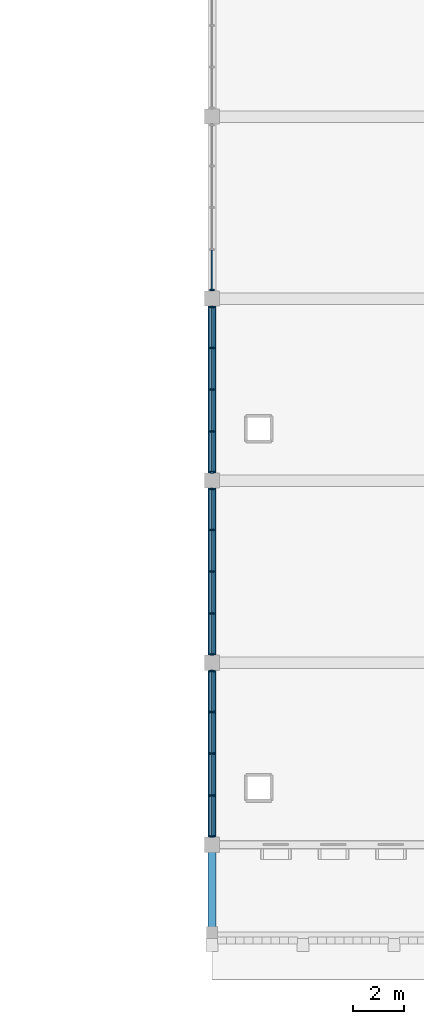
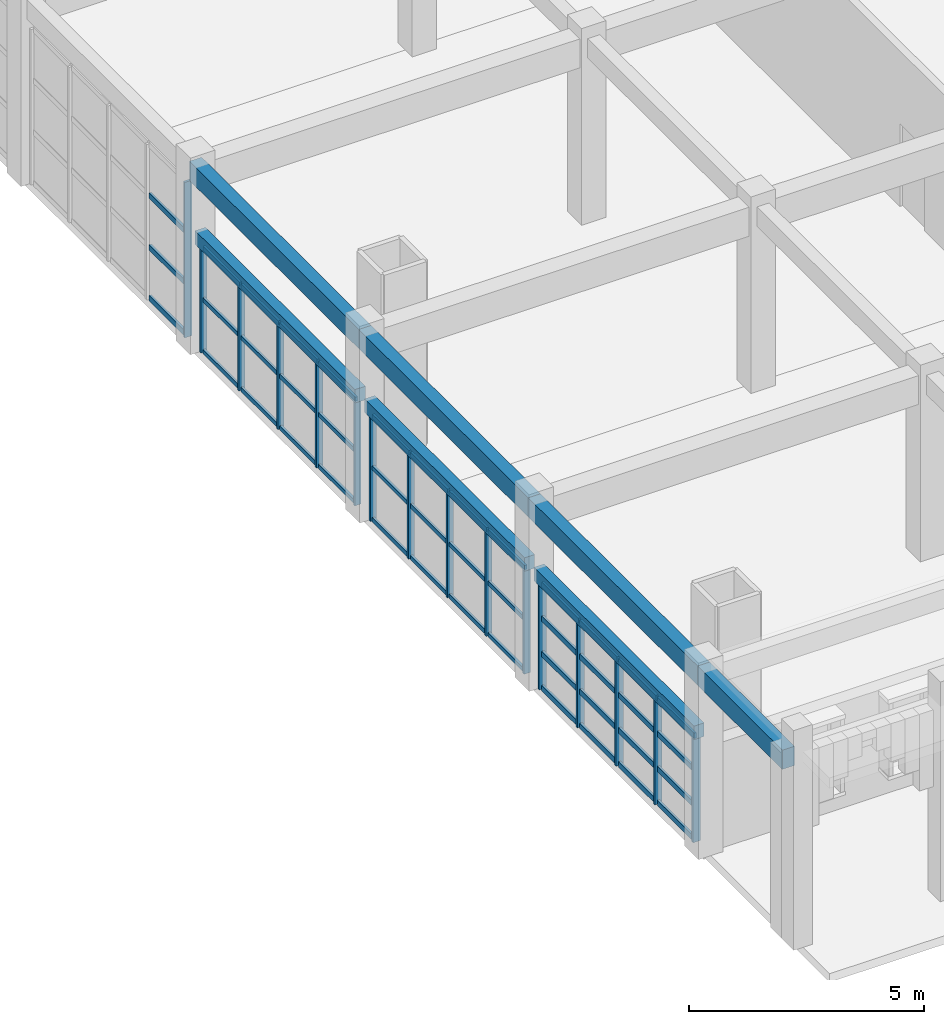
# One storey, part 7 of 72: 59 members, 7 beams, 4 elements without a shape of their own.
"""IFC4 building model written with IfcOpenShell, lengths in metres."""

from ifc_helpers import new_model, si_unit, direction, frame, origin, origin_2d, place, context, subcontext, project, spatial, rectangle, extrude, material, material_profile, profile_set, type_object, element, aggregate, save


model = new_model("IFC4")

# Units and contexts
model_context = context("Model", 3, precision=1e-05, world=origin(), true_north=direction((0.0, 1.0)))
body_context = subcontext(model_context, "Body", "Model", "MODEL_VIEW")
ifc_project = project(units=[si_unit("LENGTHUNIT", "METRE"), si_unit("AREAUNIT", "SQUARE_METRE"), si_unit("VOLUMEUNIT", "CUBIC_METRE"), si_unit("PLANEANGLEUNIT", "RADIAN"), si_unit("MASSUNIT", "GRAM", prefix="KILO")], contexts=[model_context])

# Site, building, storey
site_placement = place(None, origin())
site = spatial("IfcSite", under=ifc_project, at=site_placement, CompositionType="ELEMENT")
building_placement = place(site_placement, origin())
building = spatial("IfcBuilding", under=site, at=building_placement, Name="Nzembalo Square Collegiate School", CompositionType="ELEMENT")
storey_placement = place(building_placement, origin())
storey = spatial("IfcBuildingStorey", under=building, at=storey_placement, Name="L00", CompositionType="ELEMENT", Elevation=0.0)

# Beams
ifc_material_1 = material(Name="Concrete C35/45", Category="concrete")
ifc_material_profile_1 = material_profile(ifc_material_1, rectangle(XDim=0.25, YDim=0.35009765625, at=origin_2d()), Name="RC 250x350")
ifc_profile_set_1 = profile_set([ifc_material_profile_1], Name="Concrete C35/45")
beam_type_1 = type_object("IfcBeamType", Name="LN01", PredefinedType="LINTEL", material=ifc_profile_set_1)
beam_1_placement = place(storey_placement, frame((130.800048828125, 8.60009765625, 2.925048828125), z_axis=(0.0, 1.0, 0.0), x_axis=(-1.0, 0.0, 0.0)))
element("IfcBeam", 1, at=beam_1_placement, inside=storey, type_object=beam_type_1, Name="Opening lintel LN01-04", PredefinedType="LINTEL", context=body_context, shape_type="SweptSolid", body=[
    extrude(rectangle(XDim=0.25, YDim=0.35009765625, at=origin_2d()), origin(), (0.0, 0.0, 1.0), 6.7998046875),
])
for number, where, z_axis, x_axis, name in (
    (2, (130.800048828125, 15.800048828125, 2.925048828125), (0.0, 1.0, 0.0), (-1.0, 0.0, 0.0), "Opening lintel LN01-05"),
    (3, (130.800048828125, 23.0, 2.925048828125), (0.0, 1.0, 0.0), (-1.0, 0.0, 0.0), "Opening lintel LN01-06"),
):
    element("IfcBeam", number, at=place(storey_placement, frame(where, z_axis=z_axis, x_axis=x_axis)), inside=storey, type_object=beam_type_1, Name=name, PredefinedType="LINTEL", context=body_context, shape_type="SweptSolid", body=[
        extrude(rectangle(XDim=0.25, YDim=0.35009765625, at=origin_2d()), origin(), (0.0, 0.0, 1.0), 6.800048828125),
    ])
ifc_material_2 = material(Name="Concrete C35/45", Category="concrete")
ifc_material_profile_2 = material_profile(ifc_material_2, rectangle(XDim=0.300048828125, YDim=0.5, at=origin_2d()), Name="RC 300x500")
ifc_profile_set_2 = profile_set([ifc_material_profile_2], Name="Concrete C35/45")
beam_type_2 = type_object("IfcBeamType", Name="SP01", PredefinedType="SPANDREL", material=ifc_profile_set_2)
beam_2_placement = place(storey_placement, frame((130.800048828125, 4.800048828125, 4.5400390625), z_axis=(0.0, 1.0, 0.0), x_axis=(-1.0, 0.0, 0.0)))
element("IfcBeam", 4, at=beam_2_placement, inside=storey, type_object=beam_type_2, Name="Beam SP01 L00", PredefinedType="SPANDREL", context=body_context, shape_type="SweptSolid", body=[
    extrude(rectangle(XDim=0.300048828125, YDim=0.5, at=origin_2d()), origin(), (0.0, 0.0, 1.0), 3.599853515625),
])
beam_3_placement = place(storey_placement, frame((130.800048828125, 8.39990234375, 4.5400390625), z_axis=(0.0, 1.0, 0.0), x_axis=(-1.0, 0.0, 0.0)))
element("IfcBeam", 5, at=beam_3_placement, inside=storey, type_object=beam_type_2, Name="Beam SP01 L00", PredefinedType="SPANDREL", context=body_context, shape_type="SweptSolid", body=[
    extrude(rectangle(XDim=0.300048828125, YDim=0.5, at=origin_2d()), origin(), (0.0, 0.0, 1.0), 7.2001953125),
])
for number, where, z_axis, x_axis, name in (
    (6, (130.800048828125, 15.60009765625, 4.5400390625), (0.0, 1.0, 0.0), (-1.0, 0.0, 0.0), "Beam SP01 L00"),
    (7, (130.800048828125, 22.800048828125, 4.5400390625), (0.0, 1.0, 0.0), (-1.0, 0.0, 0.0), "Beam SP01 L00"),
):
    element("IfcBeam", number, at=place(storey_placement, frame(where, z_axis=z_axis, x_axis=x_axis)), inside=storey, type_object=beam_type_2, Name=name, PredefinedType="SPANDREL", context=body_context, shape_type="SweptSolid", body=[
        extrude(rectangle(XDim=0.300048828125, YDim=0.5, at=origin_2d()), origin(), (0.0, 0.0, 1.0), 7.199951171875),
    ])

# Curtain wall, members
ifc_material_3 = material(Name="Aluminium 6060-T66", Category="aluminium")
curtain_wall_type_1 = type_object("IfcCurtainWallType", Name="CW-02", PredefinedType="USERDEFINED", material=ifc_material_3)
curtain_wall_1_placement = place(storey_placement, origin())
curtain_wall_1 = element("IfcCurtainWall", 8, at=curtain_wall_1_placement, inside=storey, type_object=curtain_wall_type_1, Name="Curtain wall CW-02 cw:L00:009", ObjectType="UNITISED", PredefinedType="USERDEFINED")
ifc_material_4 = material(Name="Aluminium 6060-T66", Category="aluminium")
ifc_material_profile_3 = material_profile(ifc_material_4, rectangle(XDim=0.06005859375, YDim=0.179931640625, at=origin_2d()), Name="ALU M60x180")
ifc_profile_set_3 = profile_set([ifc_material_profile_3], Name="Aluminium 6060-T66")
member_type_1 = type_object("IfcMemberType", Name="ML01", PredefinedType="MULLION", material=ifc_profile_set_3)
member_1_placement = place(storey_placement, frame((130.800048828125, 8.73193359375, 0.0), z_axis=(0.0, 0.0, 1.0), x_axis=(0.0, 1.0, 0.0)))
member_1 = element("IfcMember", 9, at=member_1_placement, type_object=member_type_1, Name="ML01 mullion 1", PredefinedType="MULLION", context=body_context, shape_type="SweptSolid", body=[
    extrude(rectangle(XDim=0.06005859375, YDim=0.179931640625, at=origin_2d()), origin(), (0.0, 0.0, 1.0), 2.743896484375),
])
member_2_placement = place(storey_placement, frame((130.800048828125, 10.35107421875, 0.0), z_axis=(0.0, 0.0, 1.0), x_axis=(0.0, 1.0, 0.0)))
member_2 = element("IfcMember", 10, at=member_2_placement, type_object=member_type_1, Name="ML01 mullion 2", PredefinedType="MULLION", context=body_context, shape_type="SweptSolid", body=[
    extrude(rectangle(XDim=0.06005859375, YDim=0.179931640625, at=origin_2d()), origin(), (0.0, 0.0, 1.0), 2.743896484375),
])
member_3_placement = place(storey_placement, frame((130.800048828125, 12.0, 0.0), z_axis=(0.0, 0.0, 1.0), x_axis=(0.0, 1.0, 0.0)))
member_3 = element("IfcMember", 11, at=member_3_placement, type_object=member_type_1, Name="ML01 mullion 3", PredefinedType="MULLION", context=body_context, shape_type="SweptSolid", body=[
    extrude(rectangle(XDim=0.06005859375, YDim=0.179931640625, at=origin_2d()), origin(), (0.0, 0.0, 1.0), 2.743896484375),
])
member_4_placement = place(storey_placement, frame((130.800048828125, 13.64892578125, 0.0), z_axis=(0.0, 0.0, 1.0), x_axis=(0.0, 1.0, 0.0)))
member_4 = element("IfcMember", 12, at=member_4_placement, type_object=member_type_1, Name="ML01 mullion 4", PredefinedType="MULLION", context=body_context, shape_type="SweptSolid", body=[
    extrude(rectangle(XDim=0.06005859375, YDim=0.179931640625, at=origin_2d()), origin(), (0.0, 0.0, 1.0), 2.743896484375),
])
member_5_placement = place(storey_placement, frame((130.800048828125, 15.26806640625, 0.0), z_axis=(0.0, 0.0, 1.0), x_axis=(0.0, 1.0, 0.0)))
member_5 = element("IfcMember", 13, at=member_5_placement, type_object=member_type_1, Name="ML01 mullion 5", PredefinedType="MULLION", context=body_context, shape_type="SweptSolid", body=[
    extrude(rectangle(XDim=0.06005859375, YDim=0.179931640625, at=origin_2d()), origin(), (0.0, 0.0, 1.0), 2.743896484375),
])

# Curtain wall, member
ifc_material_5 = material(Name="Aluminium 6060-T66", Category="aluminium")
curtain_wall_type_2 = type_object("IfcCurtainWallType", Name="CW-05", PredefinedType="USERDEFINED", material=ifc_material_5)
curtain_wall_2_placement = place(storey_placement, origin())
curtain_wall_2 = element("IfcCurtainWall", 14, at=curtain_wall_2_placement, inside=storey, type_object=curtain_wall_type_2, Name="Curtain wall CW-05 cw:L00:012", ObjectType="LANCET", PredefinedType="USERDEFINED")
member_6_placement = place(storey_placement, frame((130.800048828125, 30.33203125, 0.0), z_axis=(0.0, 0.0, 1.0), x_axis=(0.0, 1.0, 0.0)))
member_6 = element("IfcMember", 15, at=member_6_placement, type_object=member_type_1, Name="ML01 mullion 1", PredefinedType="MULLION", context=body_context, shape_type="SweptSolid", body=[
    extrude(rectangle(XDim=0.06005859375, YDim=0.179931640625, at=origin_2d()), origin(), (0.0, 0.0, 1.0), 4.033935546875),
])

# Curtain wall, members
ifc_material_6 = material(Name="Aluminium 6060-T66", Category="aluminium")
curtain_wall_type_3 = type_object("IfcCurtainWallType", Name="CW-03", PredefinedType="USERDEFINED", material=ifc_material_6)
curtain_wall_3_placement = place(storey_placement, origin())
curtain_wall_3 = element("IfcCurtainWall", 16, at=curtain_wall_3_placement, inside=storey, type_object=curtain_wall_type_3, Name="Curtain wall CW-03 cw:L00:010", ObjectType="UNITISED", PredefinedType="USERDEFINED")
ifc_material_7 = material(Name="Aluminium 6060-T66", Category="aluminium")
ifc_material_profile_4 = material_profile(ifc_material_7, rectangle(XDim=0.06005859375, YDim=0.14990234375, at=origin_2d()), Name="ALU M60x150")
ifc_profile_set_4 = profile_set([ifc_material_profile_4], Name="Aluminium 6060-T66")
member_type_2 = type_object("IfcMemberType", Name="ML02", PredefinedType="MULLION", material=ifc_profile_set_4)
member_7_placement = place(storey_placement, frame((130.800048828125, 15.931884765625, 0.0), z_axis=(0.0, 0.0, 1.0), x_axis=(0.0, 1.0, 0.0)))
member_7 = element("IfcMember", 17, at=member_7_placement, type_object=member_type_2, Name="ML02 mullion 1", PredefinedType="MULLION", context=body_context, shape_type="SweptSolid", body=[
    extrude(rectangle(XDim=0.06005859375, YDim=0.14990234375, at=origin_2d()), origin(), (0.0, 0.0, 1.0), 2.743896484375),
])
member_8_placement = place(storey_placement, frame((130.800048828125, 17.551025390625, 0.0), z_axis=(0.0, 0.0, 1.0), x_axis=(0.0, 1.0, 0.0)))
member_8 = element("IfcMember", 18, at=member_8_placement, type_object=member_type_2, Name="ML02 mullion 2", PredefinedType="MULLION", context=body_context, shape_type="SweptSolid", body=[
    extrude(rectangle(XDim=0.06005859375, YDim=0.14990234375, at=origin_2d()), origin(), (0.0, 0.0, 1.0), 2.743896484375),
])
member_9_placement = place(storey_placement, frame((130.800048828125, 19.199951171875, 0.0), z_axis=(0.0, 0.0, 1.0), x_axis=(0.0, 1.0, 0.0)))
member_9 = element("IfcMember", 19, at=member_9_placement, type_object=member_type_2, Name="ML02 mullion 3", PredefinedType="MULLION", context=body_context, shape_type="SweptSolid", body=[
    extrude(rectangle(XDim=0.06005859375, YDim=0.14990234375, at=origin_2d()), origin(), (0.0, 0.0, 1.0), 2.743896484375),
])
member_10_placement = place(storey_placement, frame((130.800048828125, 20.84912109375, 0.0), z_axis=(0.0, 0.0, 1.0), x_axis=(0.0, 1.0, 0.0)))
member_10 = element("IfcMember", 20, at=member_10_placement, type_object=member_type_2, Name="ML02 mullion 4", PredefinedType="MULLION", context=body_context, shape_type="SweptSolid", body=[
    extrude(rectangle(XDim=0.06005859375, YDim=0.14990234375, at=origin_2d()), origin(), (0.0, 0.0, 1.0), 2.743896484375),
])
member_11_placement = place(storey_placement, frame((130.800048828125, 22.468017578125, 0.0), z_axis=(0.0, 0.0, 1.0), x_axis=(0.0, 1.0, 0.0)))
member_11 = element("IfcMember", 21, at=member_11_placement, type_object=member_type_2, Name="ML02 mullion 5", PredefinedType="MULLION", context=body_context, shape_type="SweptSolid", body=[
    extrude(rectangle(XDim=0.06005859375, YDim=0.14990234375, at=origin_2d()), origin(), (0.0, 0.0, 1.0), 2.743896484375),
])

ifc_material_8 = material(Name="Aluminium 6060-T66", Category="aluminium")
curtain_wall_type_4 = type_object("IfcCurtainWallType", Name="CW-04", PredefinedType="USERDEFINED", material=ifc_material_8)
curtain_wall_4_placement = place(storey_placement, origin())
curtain_wall_4 = element("IfcCurtainWall", 22, at=curtain_wall_4_placement, inside=storey, type_object=curtain_wall_type_4, Name="Curtain wall CW-04 cw:L00:011", ObjectType="UNITISED", PredefinedType="USERDEFINED")
member_12_placement = place(storey_placement, frame((130.800048828125, 23.132080078125, 0.0), z_axis=(0.0, 0.0, 1.0), x_axis=(0.0, 1.0, 0.0)))
member_12 = element("IfcMember", 23, at=member_12_placement, type_object=member_type_2, Name="ML02 mullion 1", PredefinedType="MULLION", context=body_context, shape_type="SweptSolid", body=[
    extrude(rectangle(XDim=0.06005859375, YDim=0.14990234375, at=origin_2d()), origin(), (0.0, 0.0, 1.0), 2.743896484375),
])
member_13_placement = place(storey_placement, frame((130.800048828125, 24.7509765625, 0.0), z_axis=(0.0, 0.0, 1.0), x_axis=(0.0, 1.0, 0.0)))
member_13 = element("IfcMember", 24, at=member_13_placement, type_object=member_type_2, Name="ML02 mullion 2", PredefinedType="MULLION", context=body_context, shape_type="SweptSolid", body=[
    extrude(rectangle(XDim=0.06005859375, YDim=0.14990234375, at=origin_2d()), origin(), (0.0, 0.0, 1.0), 2.743896484375),
])
member_14_placement = place(storey_placement, frame((130.800048828125, 26.39990234375, 0.0), z_axis=(0.0, 0.0, 1.0), x_axis=(0.0, 1.0, 0.0)))
member_14 = element("IfcMember", 25, at=member_14_placement, type_object=member_type_2, Name="ML02 mullion 3", PredefinedType="MULLION", context=body_context, shape_type="SweptSolid", body=[
    extrude(rectangle(XDim=0.06005859375, YDim=0.14990234375, at=origin_2d()), origin(), (0.0, 0.0, 1.0), 2.743896484375),
])
member_15_placement = place(storey_placement, frame((130.800048828125, 28.049072265625, 0.0), z_axis=(0.0, 0.0, 1.0), x_axis=(0.0, 1.0, 0.0)))
member_15 = element("IfcMember", 26, at=member_15_placement, type_object=member_type_2, Name="ML02 mullion 4", PredefinedType="MULLION", context=body_context, shape_type="SweptSolid", body=[
    extrude(rectangle(XDim=0.06005859375, YDim=0.14990234375, at=origin_2d()), origin(), (0.0, 0.0, 1.0), 2.743896484375),
])
member_16_placement = place(storey_placement, frame((130.800048828125, 29.66796875, 0.0), z_axis=(0.0, 0.0, 1.0), x_axis=(0.0, 1.0, 0.0)))
member_16 = element("IfcMember", 27, at=member_16_placement, type_object=member_type_2, Name="ML02 mullion 5", PredefinedType="MULLION", context=body_context, shape_type="SweptSolid", body=[
    extrude(rectangle(XDim=0.06005859375, YDim=0.14990234375, at=origin_2d()), origin(), (0.0, 0.0, 1.0), 2.743896484375),
])

# Member
ifc_material_9 = material(Name="Aluminium 6060-T66", Category="aluminium")
ifc_material_profile_5 = material_profile(ifc_material_9, rectangle(XDim=0.06005859375, YDim=0.139892578125, at=origin_2d()), Name="ALU T60x140")
ifc_profile_set_5 = profile_set([ifc_material_profile_5], Name="Aluminium 6060-T66")
member_type_3 = type_object("IfcMemberType", Name="TR01", PredefinedType="USERDEFINED", material=ifc_profile_set_5)
member_17_placement = place(storey_placement, frame((130.800048828125, 8.761962890625, 0.030029296875), z_axis=(0.0, 1.0, 0.0), x_axis=(-1.0, 0.0, 0.0)))
member_17 = element("IfcMember", 28, at=member_17_placement, type_object=member_type_3, Name="TR01 transom 1-1", ObjectType="TRANSOM", PredefinedType="USERDEFINED", context=body_context, shape_type="SweptSolid", body=[
    extrude(rectangle(XDim=0.06005859375, YDim=0.139892578125, at=origin_2d()), origin(), (0.0, 0.0, 1.0), 1.55908203125),
])

member_18_placement = place(storey_placement, frame((130.800048828125, 10.381103515625, 0.030029296875), z_axis=(0.0, 1.0, 0.0), x_axis=(-1.0, 0.0, 0.0)))
member_18 = element("IfcMember", 29, at=member_18_placement, type_object=member_type_3, Name="TR01 transom 1-2", ObjectType="TRANSOM", PredefinedType="USERDEFINED", context=body_context, shape_type="SweptSolid", body=[
    extrude(rectangle(XDim=0.06005859375, YDim=0.139892578125, at=origin_2d()), origin(), (0.0, 0.0, 1.0), 1.5888671875),
])

member_19_placement = place(storey_placement, frame((130.800048828125, 12.030029296875, 0.030029296875), z_axis=(0.0, 1.0, 0.0), x_axis=(-1.0, 0.0, 0.0)))
member_19 = element("IfcMember", 30, at=member_19_placement, type_object=member_type_3, Name="TR01 transom 1-3", ObjectType="TRANSOM", PredefinedType="USERDEFINED", context=body_context, shape_type="SweptSolid", body=[
    extrude(rectangle(XDim=0.06005859375, YDim=0.139892578125, at=origin_2d()), origin(), (0.0, 0.0, 1.0), 1.5888671875),
])

member_20_placement = place(storey_placement, frame((130.800048828125, 13.678955078125, 0.030029296875), z_axis=(0.0, 1.0, 0.0), x_axis=(-1.0, 0.0, 0.0)))
member_20 = element("IfcMember", 31, at=member_20_placement, type_object=member_type_3, Name="TR01 transom 1-4", ObjectType="TRANSOM", PredefinedType="USERDEFINED", context=body_context, shape_type="SweptSolid", body=[
    extrude(rectangle(XDim=0.06005859375, YDim=0.139892578125, at=origin_2d()), origin(), (0.0, 0.0, 1.0), 1.55908203125),
])

member_21_placement = place(storey_placement, frame((130.800048828125, 8.761962890625, 0.91455078125), z_axis=(0.0, 1.0, 0.0), x_axis=(-1.0, 0.0, 0.0)))
member_21 = element("IfcMember", 32, at=member_21_placement, type_object=member_type_3, Name="TR01 transom 2-1", ObjectType="TRANSOM", PredefinedType="USERDEFINED", context=body_context, shape_type="SweptSolid", body=[
    extrude(rectangle(XDim=0.06005859375, YDim=0.139892578125, at=origin_2d()), origin(), (0.0, 0.0, 1.0), 1.55908203125),
])

member_22_placement = place(storey_placement, frame((130.800048828125, 10.381103515625, 0.91455078125), z_axis=(0.0, 1.0, 0.0), x_axis=(-1.0, 0.0, 0.0)))
member_22 = element("IfcMember", 33, at=member_22_placement, type_object=member_type_3, Name="TR01 transom 2-2", ObjectType="TRANSOM", PredefinedType="USERDEFINED", context=body_context, shape_type="SweptSolid", body=[
    extrude(rectangle(XDim=0.06005859375, YDim=0.139892578125, at=origin_2d()), origin(), (0.0, 0.0, 1.0), 1.5888671875),
])

member_23_placement = place(storey_placement, frame((130.800048828125, 12.030029296875, 0.91455078125), z_axis=(0.0, 1.0, 0.0), x_axis=(-1.0, 0.0, 0.0)))
member_23 = element("IfcMember", 34, at=member_23_placement, type_object=member_type_3, Name="TR01 transom 2-3", ObjectType="TRANSOM", PredefinedType="USERDEFINED", context=body_context, shape_type="SweptSolid", body=[
    extrude(rectangle(XDim=0.06005859375, YDim=0.139892578125, at=origin_2d()), origin(), (0.0, 0.0, 1.0), 1.5888671875),
])

member_24_placement = place(storey_placement, frame((130.800048828125, 13.678955078125, 0.91455078125), z_axis=(0.0, 1.0, 0.0), x_axis=(-1.0, 0.0, 0.0)))
member_24 = element("IfcMember", 35, at=member_24_placement, type_object=member_type_3, Name="TR01 transom 2-4", ObjectType="TRANSOM", PredefinedType="USERDEFINED", context=body_context, shape_type="SweptSolid", body=[
    extrude(rectangle(XDim=0.06005859375, YDim=0.139892578125, at=origin_2d()), origin(), (0.0, 0.0, 1.0), 1.55908203125),
])

member_25_placement = place(storey_placement, frame((130.800048828125, 8.761962890625, 1.829345703125), z_axis=(0.0, 1.0, 0.0), x_axis=(-1.0, 0.0, 0.0)))
member_25 = element("IfcMember", 36, at=member_25_placement, type_object=member_type_3, Name="TR01 transom 3-1", ObjectType="TRANSOM", PredefinedType="USERDEFINED", context=body_context, shape_type="SweptSolid", body=[
    extrude(rectangle(XDim=0.06005859375, YDim=0.139892578125, at=origin_2d()), origin(), (0.0, 0.0, 1.0), 1.55908203125),
])

member_26_placement = place(storey_placement, frame((130.800048828125, 10.381103515625, 1.829345703125), z_axis=(0.0, 1.0, 0.0), x_axis=(-1.0, 0.0, 0.0)))
member_26 = element("IfcMember", 37, at=member_26_placement, type_object=member_type_3, Name="TR01 transom 3-2", ObjectType="TRANSOM", PredefinedType="USERDEFINED", context=body_context, shape_type="SweptSolid", body=[
    extrude(rectangle(XDim=0.06005859375, YDim=0.139892578125, at=origin_2d()), origin(), (0.0, 0.0, 1.0), 1.5888671875),
])

member_27_placement = place(storey_placement, frame((130.800048828125, 12.030029296875, 1.829345703125), z_axis=(0.0, 1.0, 0.0), x_axis=(-1.0, 0.0, 0.0)))
member_27 = element("IfcMember", 38, at=member_27_placement, type_object=member_type_3, Name="TR01 transom 3-3", ObjectType="TRANSOM", PredefinedType="USERDEFINED", context=body_context, shape_type="SweptSolid", body=[
    extrude(rectangle(XDim=0.06005859375, YDim=0.139892578125, at=origin_2d()), origin(), (0.0, 0.0, 1.0), 1.5888671875),
])

member_28_placement = place(storey_placement, frame((130.800048828125, 13.678955078125, 1.829345703125), z_axis=(0.0, 1.0, 0.0), x_axis=(-1.0, 0.0, 0.0)))
member_28 = element("IfcMember", 39, at=member_28_placement, type_object=member_type_3, Name="TR01 transom 3-4", ObjectType="TRANSOM", PredefinedType="USERDEFINED", context=body_context, shape_type="SweptSolid", body=[
    extrude(rectangle(XDim=0.06005859375, YDim=0.139892578125, at=origin_2d()), origin(), (0.0, 0.0, 1.0), 1.55908203125),
])

member_29_placement = place(storey_placement, frame((130.800048828125, 8.761962890625, 2.714111328125), z_axis=(0.0, 1.0, 0.0), x_axis=(-1.0, 0.0, 0.0)))
member_29 = element("IfcMember", 40, at=member_29_placement, type_object=member_type_3, Name="TR01 transom 4-1", ObjectType="TRANSOM", PredefinedType="USERDEFINED", context=body_context, shape_type="SweptSolid", body=[
    extrude(rectangle(XDim=0.06005859375, YDim=0.139892578125, at=origin_2d()), origin(), (0.0, 0.0, 1.0), 1.55908203125),
])

member_30_placement = place(storey_placement, frame((130.800048828125, 10.381103515625, 2.714111328125), z_axis=(0.0, 1.0, 0.0), x_axis=(-1.0, 0.0, 0.0)))
member_30 = element("IfcMember", 41, at=member_30_placement, type_object=member_type_3, Name="TR01 transom 4-2", ObjectType="TRANSOM", PredefinedType="USERDEFINED", context=body_context, shape_type="SweptSolid", body=[
    extrude(rectangle(XDim=0.06005859375, YDim=0.139892578125, at=origin_2d()), origin(), (0.0, 0.0, 1.0), 1.5888671875),
])

member_31_placement = place(storey_placement, frame((130.800048828125, 12.030029296875, 2.714111328125), z_axis=(0.0, 1.0, 0.0), x_axis=(-1.0, 0.0, 0.0)))
member_31 = element("IfcMember", 42, at=member_31_placement, type_object=member_type_3, Name="TR01 transom 4-3", ObjectType="TRANSOM", PredefinedType="USERDEFINED", context=body_context, shape_type="SweptSolid", body=[
    extrude(rectangle(XDim=0.06005859375, YDim=0.139892578125, at=origin_2d()), origin(), (0.0, 0.0, 1.0), 1.5888671875),
])

member_32_placement = place(storey_placement, frame((130.800048828125, 13.678955078125, 2.714111328125), z_axis=(0.0, 1.0, 0.0), x_axis=(-1.0, 0.0, 0.0)))
member_32 = element("IfcMember", 43, at=member_32_placement, type_object=member_type_3, Name="TR01 transom 4-4", ObjectType="TRANSOM", PredefinedType="USERDEFINED", context=body_context, shape_type="SweptSolid", body=[
    extrude(rectangle(XDim=0.06005859375, YDim=0.139892578125, at=origin_2d()), origin(), (0.0, 0.0, 1.0), 1.55908203125),
])

aggregate(curtain_wall_1, [member_1, member_2, member_3, member_4, member_5, member_17, member_18, member_19, member_20, member_21, member_22, member_23, member_24, member_25, member_26, member_27, member_28, member_29, member_30, member_31, member_32])

member_33_placement = place(storey_placement, frame((130.800048828125, 30.362060546875, 0.030029296875), z_axis=(0.0, 1.0, 0.0), x_axis=(-1.0, 0.0, 0.0)))
member_33 = element("IfcMember", 44, at=member_33_placement, type_object=member_type_3, Name="TR01 transom 1-1", ObjectType="TRANSOM", PredefinedType="USERDEFINED", context=body_context, shape_type="SweptSolid", body=[
    extrude(rectangle(XDim=0.06005859375, YDim=0.139892578125, at=origin_2d()), origin(), (0.0, 0.0, 1.0), 1.558837890625),
])

member_34_placement = place(storey_placement, frame((130.800048828125, 30.362060546875, 1.3447265625), z_axis=(0.0, 1.0, 0.0), x_axis=(-1.0, 0.0, 0.0)))
member_34 = element("IfcMember", 45, at=member_34_placement, type_object=member_type_3, Name="TR01 transom 2-1", ObjectType="TRANSOM", PredefinedType="USERDEFINED", context=body_context, shape_type="SweptSolid", body=[
    extrude(rectangle(XDim=0.06005859375, YDim=0.139892578125, at=origin_2d()), origin(), (0.0, 0.0, 1.0), 1.558837890625),
])

member_35_placement = place(storey_placement, frame((130.800048828125, 30.362060546875, 2.689208984375), z_axis=(0.0, 1.0, 0.0), x_axis=(-1.0, 0.0, 0.0)))
member_35 = element("IfcMember", 46, at=member_35_placement, type_object=member_type_3, Name="TR01 transom 3-1", ObjectType="TRANSOM", PredefinedType="USERDEFINED", context=body_context, shape_type="SweptSolid", body=[
    extrude(rectangle(XDim=0.06005859375, YDim=0.139892578125, at=origin_2d()), origin(), (0.0, 0.0, 1.0), 1.558837890625),
])

aggregate(curtain_wall_2, [member_6, member_33, member_34, member_35])

ifc_material_10 = material(Name="Aluminium 6060-T66", Category="aluminium")
ifc_material_profile_6 = material_profile(ifc_material_10, rectangle(XDim=0.06005859375, YDim=0.110107421875, at=origin_2d()), Name="ALU T60x110")
ifc_profile_set_6 = profile_set([ifc_material_profile_6], Name="Aluminium 6060-T66")
member_type_4 = type_object("IfcMemberType", Name="TR02", PredefinedType="USERDEFINED", material=ifc_profile_set_6)
member_36_placement = place(storey_placement, frame((130.800048828125, 15.9619140625, 0.030029296875), z_axis=(0.0, 1.0, 0.0), x_axis=(-1.0, 0.0, 0.0)))
member_36 = element("IfcMember", 47, at=member_36_placement, type_object=member_type_4, Name="TR02 transom 1-1", ObjectType="TRANSOM", PredefinedType="USERDEFINED", context=body_context, shape_type="SweptSolid", body=[
    extrude(rectangle(XDim=0.06005859375, YDim=0.110107421875, at=origin_2d()), origin(), (0.0, 0.0, 1.0), 1.55908203125),
])

member_37_placement = place(storey_placement, frame((130.800048828125, 17.5810546875, 0.030029296875), z_axis=(0.0, 1.0, 0.0), x_axis=(-1.0, 0.0, 0.0)))
member_37 = element("IfcMember", 48, at=member_37_placement, type_object=member_type_4, Name="TR02 transom 1-2", ObjectType="TRANSOM", PredefinedType="USERDEFINED", context=body_context, shape_type="SweptSolid", body=[
    extrude(rectangle(XDim=0.06005859375, YDim=0.110107421875, at=origin_2d()), origin(), (0.0, 0.0, 1.0), 1.5888671875),
])

member_38_placement = place(storey_placement, frame((130.800048828125, 19.22998046875, 0.030029296875), z_axis=(0.0, 1.0, 0.0), x_axis=(-1.0, 0.0, 0.0)))
member_38 = element("IfcMember", 49, at=member_38_placement, type_object=member_type_4, Name="TR02 transom 1-3", ObjectType="TRANSOM", PredefinedType="USERDEFINED", context=body_context, shape_type="SweptSolid", body=[
    extrude(rectangle(XDim=0.06005859375, YDim=0.110107421875, at=origin_2d()), origin(), (0.0, 0.0, 1.0), 1.589111328125),
])

member_39_placement = place(storey_placement, frame((130.800048828125, 20.87890625, 0.030029296875), z_axis=(0.0, 1.0, 0.0), x_axis=(-1.0, 0.0, 0.0)))
member_39 = element("IfcMember", 50, at=member_39_placement, type_object=member_type_4, Name="TR02 transom 1-4", ObjectType="TRANSOM", PredefinedType="USERDEFINED", context=body_context, shape_type="SweptSolid", body=[
    extrude(rectangle(XDim=0.06005859375, YDim=0.110107421875, at=origin_2d()), origin(), (0.0, 0.0, 1.0), 1.55908203125),
])

member_40_placement = place(storey_placement, frame((130.800048828125, 15.9619140625, 1.3720703125), z_axis=(0.0, 1.0, 0.0), x_axis=(-1.0, 0.0, 0.0)))
member_40 = element("IfcMember", 51, at=member_40_placement, type_object=member_type_4, Name="TR02 transom 2-1", ObjectType="TRANSOM", PredefinedType="USERDEFINED", context=body_context, shape_type="SweptSolid", body=[
    extrude(rectangle(XDim=0.06005859375, YDim=0.110107421875, at=origin_2d()), origin(), (0.0, 0.0, 1.0), 1.55908203125),
])

member_41_placement = place(storey_placement, frame((130.800048828125, 17.5810546875, 1.3720703125), z_axis=(0.0, 1.0, 0.0), x_axis=(-1.0, 0.0, 0.0)))
member_41 = element("IfcMember", 52, at=member_41_placement, type_object=member_type_4, Name="TR02 transom 2-2", ObjectType="TRANSOM", PredefinedType="USERDEFINED", context=body_context, shape_type="SweptSolid", body=[
    extrude(rectangle(XDim=0.06005859375, YDim=0.110107421875, at=origin_2d()), origin(), (0.0, 0.0, 1.0), 1.5888671875),
])

member_42_placement = place(storey_placement, frame((130.800048828125, 19.22998046875, 1.3720703125), z_axis=(0.0, 1.0, 0.0), x_axis=(-1.0, 0.0, 0.0)))
member_42 = element("IfcMember", 53, at=member_42_placement, type_object=member_type_4, Name="TR02 transom 2-3", ObjectType="TRANSOM", PredefinedType="USERDEFINED", context=body_context, shape_type="SweptSolid", body=[
    extrude(rectangle(XDim=0.06005859375, YDim=0.110107421875, at=origin_2d()), origin(), (0.0, 0.0, 1.0), 1.589111328125),
])

member_43_placement = place(storey_placement, frame((130.800048828125, 20.87890625, 1.3720703125), z_axis=(0.0, 1.0, 0.0), x_axis=(-1.0, 0.0, 0.0)))
member_43 = element("IfcMember", 54, at=member_43_placement, type_object=member_type_4, Name="TR02 transom 2-4", ObjectType="TRANSOM", PredefinedType="USERDEFINED", context=body_context, shape_type="SweptSolid", body=[
    extrude(rectangle(XDim=0.06005859375, YDim=0.110107421875, at=origin_2d()), origin(), (0.0, 0.0, 1.0), 1.55908203125),
])

member_44_placement = place(storey_placement, frame((130.800048828125, 15.9619140625, 2.714111328125), z_axis=(0.0, 1.0, 0.0), x_axis=(-1.0, 0.0, 0.0)))
member_44 = element("IfcMember", 55, at=member_44_placement, type_object=member_type_4, Name="TR02 transom 3-1", ObjectType="TRANSOM", PredefinedType="USERDEFINED", context=body_context, shape_type="SweptSolid", body=[
    extrude(rectangle(XDim=0.06005859375, YDim=0.110107421875, at=origin_2d()), origin(), (0.0, 0.0, 1.0), 1.55908203125),
])

member_45_placement = place(storey_placement, frame((130.800048828125, 17.5810546875, 2.714111328125), z_axis=(0.0, 1.0, 0.0), x_axis=(-1.0, 0.0, 0.0)))
member_45 = element("IfcMember", 56, at=member_45_placement, type_object=member_type_4, Name="TR02 transom 3-2", ObjectType="TRANSOM", PredefinedType="USERDEFINED", context=body_context, shape_type="SweptSolid", body=[
    extrude(rectangle(XDim=0.06005859375, YDim=0.110107421875, at=origin_2d()), origin(), (0.0, 0.0, 1.0), 1.5888671875),
])

member_46_placement = place(storey_placement, frame((130.800048828125, 19.22998046875, 2.714111328125), z_axis=(0.0, 1.0, 0.0), x_axis=(-1.0, 0.0, 0.0)))
member_46 = element("IfcMember", 57, at=member_46_placement, type_object=member_type_4, Name="TR02 transom 3-3", ObjectType="TRANSOM", PredefinedType="USERDEFINED", context=body_context, shape_type="SweptSolid", body=[
    extrude(rectangle(XDim=0.06005859375, YDim=0.110107421875, at=origin_2d()), origin(), (0.0, 0.0, 1.0), 1.589111328125),
])

member_47_placement = place(storey_placement, frame((130.800048828125, 20.87890625, 2.714111328125), z_axis=(0.0, 1.0, 0.0), x_axis=(-1.0, 0.0, 0.0)))
member_47 = element("IfcMember", 58, at=member_47_placement, type_object=member_type_4, Name="TR02 transom 3-4", ObjectType="TRANSOM", PredefinedType="USERDEFINED", context=body_context, shape_type="SweptSolid", body=[
    extrude(rectangle(XDim=0.06005859375, YDim=0.110107421875, at=origin_2d()), origin(), (0.0, 0.0, 1.0), 1.55908203125),
])

aggregate(curtain_wall_3, [member_7, member_8, member_9, member_10, member_11, member_36, member_37, member_38, member_39, member_40, member_41, member_42, member_43, member_44, member_45, member_46, member_47])

member_48_placement = place(storey_placement, frame((130.800048828125, 23.162109375, 0.030029296875), z_axis=(0.0, 1.0, 0.0), x_axis=(-1.0, 0.0, 0.0)))
member_48 = element("IfcMember", 59, at=member_48_placement, type_object=member_type_4, Name="TR02 transom 1-1", ObjectType="TRANSOM", PredefinedType="USERDEFINED", context=body_context, shape_type="SweptSolid", body=[
    extrude(rectangle(XDim=0.06005859375, YDim=0.110107421875, at=origin_2d()), origin(), (0.0, 0.0, 1.0), 1.558837890625),
])

member_49_placement = place(storey_placement, frame((130.800048828125, 24.781005859375, 0.030029296875), z_axis=(0.0, 1.0, 0.0), x_axis=(-1.0, 0.0, 0.0)))
member_49 = element("IfcMember", 60, at=member_49_placement, type_object=member_type_4, Name="TR02 transom 1-2", ObjectType="TRANSOM", PredefinedType="USERDEFINED", context=body_context, shape_type="SweptSolid", body=[
    extrude(rectangle(XDim=0.06005859375, YDim=0.110107421875, at=origin_2d()), origin(), (0.0, 0.0, 1.0), 1.589111328125),
])

member_50_placement = place(storey_placement, frame((130.800048828125, 26.429931640625, 0.030029296875), z_axis=(0.0, 1.0, 0.0), x_axis=(-1.0, 0.0, 0.0)))
member_50 = element("IfcMember", 61, at=member_50_placement, type_object=member_type_4, Name="TR02 transom 1-3", ObjectType="TRANSOM", PredefinedType="USERDEFINED", context=body_context, shape_type="SweptSolid", body=[
    extrude(rectangle(XDim=0.06005859375, YDim=0.110107421875, at=origin_2d()), origin(), (0.0, 0.0, 1.0), 1.589111328125),
])

member_51_placement = place(storey_placement, frame((130.800048828125, 28.0791015625, 0.030029296875), z_axis=(0.0, 1.0, 0.0), x_axis=(-1.0, 0.0, 0.0)))
member_51 = element("IfcMember", 62, at=member_51_placement, type_object=member_type_4, Name="TR02 transom 1-4", ObjectType="TRANSOM", PredefinedType="USERDEFINED", context=body_context, shape_type="SweptSolid", body=[
    extrude(rectangle(XDim=0.06005859375, YDim=0.110107421875, at=origin_2d()), origin(), (0.0, 0.0, 1.0), 1.558837890625),
])

member_52_placement = place(storey_placement, frame((130.800048828125, 23.162109375, 1.3720703125), z_axis=(0.0, 1.0, 0.0), x_axis=(-1.0, 0.0, 0.0)))
member_52 = element("IfcMember", 63, at=member_52_placement, type_object=member_type_4, Name="TR02 transom 2-1", ObjectType="TRANSOM", PredefinedType="USERDEFINED", context=body_context, shape_type="SweptSolid", body=[
    extrude(rectangle(XDim=0.06005859375, YDim=0.110107421875, at=origin_2d()), origin(), (0.0, 0.0, 1.0), 1.558837890625),
])

member_53_placement = place(storey_placement, frame((130.800048828125, 24.781005859375, 1.3720703125), z_axis=(0.0, 1.0, 0.0), x_axis=(-1.0, 0.0, 0.0)))
member_53 = element("IfcMember", 64, at=member_53_placement, type_object=member_type_4, Name="TR02 transom 2-2", ObjectType="TRANSOM", PredefinedType="USERDEFINED", context=body_context, shape_type="SweptSolid", body=[
    extrude(rectangle(XDim=0.06005859375, YDim=0.110107421875, at=origin_2d()), origin(), (0.0, 0.0, 1.0), 1.589111328125),
])

member_54_placement = place(storey_placement, frame((130.800048828125, 26.429931640625, 1.3720703125), z_axis=(0.0, 1.0, 0.0), x_axis=(-1.0, 0.0, 0.0)))
member_54 = element("IfcMember", 65, at=member_54_placement, type_object=member_type_4, Name="TR02 transom 2-3", ObjectType="TRANSOM", PredefinedType="USERDEFINED", context=body_context, shape_type="SweptSolid", body=[
    extrude(rectangle(XDim=0.06005859375, YDim=0.110107421875, at=origin_2d()), origin(), (0.0, 0.0, 1.0), 1.589111328125),
])

member_55_placement = place(storey_placement, frame((130.800048828125, 28.0791015625, 1.3720703125), z_axis=(0.0, 1.0, 0.0), x_axis=(-1.0, 0.0, 0.0)))
member_55 = element("IfcMember", 66, at=member_55_placement, type_object=member_type_4, Name="TR02 transom 2-4", ObjectType="TRANSOM", PredefinedType="USERDEFINED", context=body_context, shape_type="SweptSolid", body=[
    extrude(rectangle(XDim=0.06005859375, YDim=0.110107421875, at=origin_2d()), origin(), (0.0, 0.0, 1.0), 1.558837890625),
])

member_56_placement = place(storey_placement, frame((130.800048828125, 23.162109375, 2.714111328125), z_axis=(0.0, 1.0, 0.0), x_axis=(-1.0, 0.0, 0.0)))
member_56 = element("IfcMember", 67, at=member_56_placement, type_object=member_type_4, Name="TR02 transom 3-1", ObjectType="TRANSOM", PredefinedType="USERDEFINED", context=body_context, shape_type="SweptSolid", body=[
    extrude(rectangle(XDim=0.06005859375, YDim=0.110107421875, at=origin_2d()), origin(), (0.0, 0.0, 1.0), 1.558837890625),
])

member_57_placement = place(storey_placement, frame((130.800048828125, 24.781005859375, 2.714111328125), z_axis=(0.0, 1.0, 0.0), x_axis=(-1.0, 0.0, 0.0)))
member_57 = element("IfcMember", 68, at=member_57_placement, type_object=member_type_4, Name="TR02 transom 3-2", ObjectType="TRANSOM", PredefinedType="USERDEFINED", context=body_context, shape_type="SweptSolid", body=[
    extrude(rectangle(XDim=0.06005859375, YDim=0.110107421875, at=origin_2d()), origin(), (0.0, 0.0, 1.0), 1.589111328125),
])

member_58_placement = place(storey_placement, frame((130.800048828125, 26.429931640625, 2.714111328125), z_axis=(0.0, 1.0, 0.0), x_axis=(-1.0, 0.0, 0.0)))
member_58 = element("IfcMember", 69, at=member_58_placement, type_object=member_type_4, Name="TR02 transom 3-3", ObjectType="TRANSOM", PredefinedType="USERDEFINED", context=body_context, shape_type="SweptSolid", body=[
    extrude(rectangle(XDim=0.06005859375, YDim=0.110107421875, at=origin_2d()), origin(), (0.0, 0.0, 1.0), 1.589111328125),
])

member_59_placement = place(storey_placement, frame((130.800048828125, 28.0791015625, 2.714111328125), z_axis=(0.0, 1.0, 0.0), x_axis=(-1.0, 0.0, 0.0)))
member_59 = element("IfcMember", 70, at=member_59_placement, type_object=member_type_4, Name="TR02 transom 3-4", ObjectType="TRANSOM", PredefinedType="USERDEFINED", context=body_context, shape_type="SweptSolid", body=[
    extrude(rectangle(XDim=0.06005859375, YDim=0.110107421875, at=origin_2d()), origin(), (0.0, 0.0, 1.0), 1.558837890625),
])

aggregate(curtain_wall_4, [member_12, member_13, member_14, member_15, member_16, member_48, member_49, member_50, member_51, member_52, member_53, member_54, member_55, member_56, member_57, member_58, member_59])

save(model, "model.ifc")
